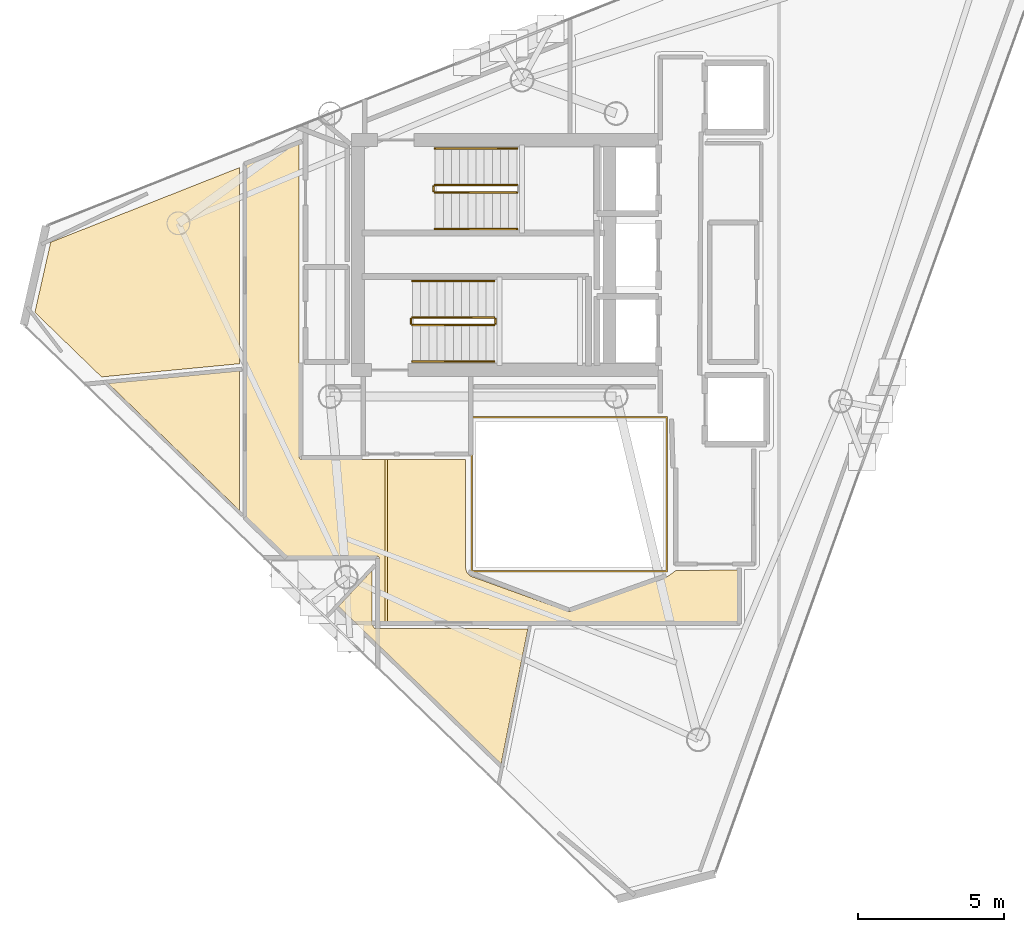
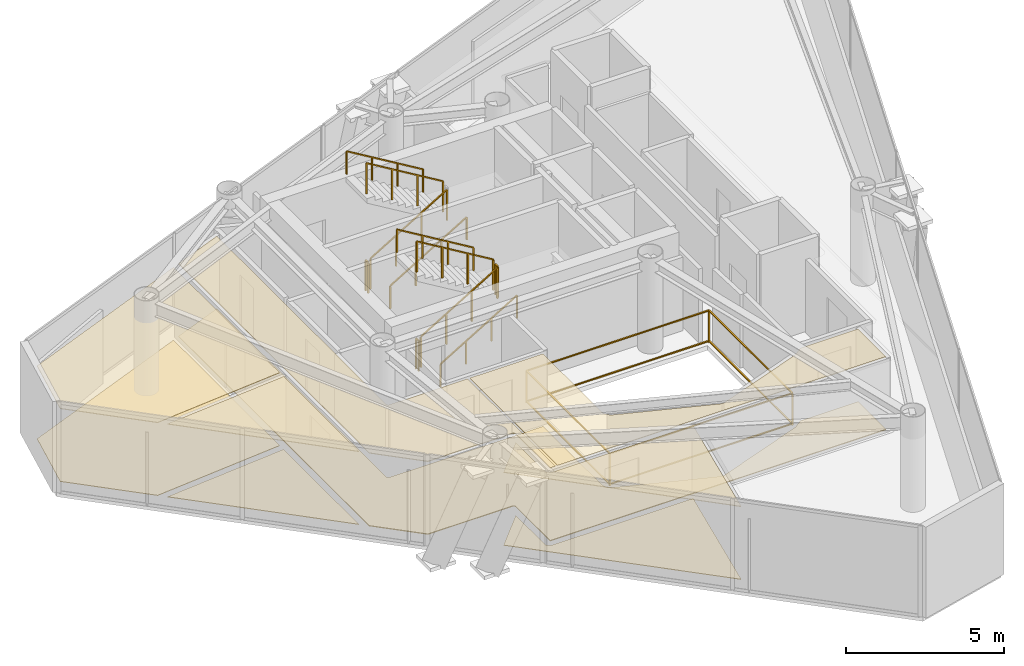
# One storey, part 18 of 19: 12 railings, 9 coverings.
"""IFC4 building model written with IfcOpenShell, lengths in metres."""

from ifc_helpers import new_model, si_unit, direction, frame, origin, origin_2d, place, context, subcontext, project, spatial, polyline, rectangle, outline, extrude, material, layer, layer_set, type_object, element, save


model = new_model("IFC4")

# Units and contexts
model_context = context("Model", 3, precision=1e-05, world=origin(), true_north=direction((0.0, 1.0)))
body_context = subcontext(model_context, "Body", "Model", "MODEL_VIEW")
ifc_project = project(units=[si_unit("LENGTHUNIT", "METRE"), si_unit("AREAUNIT", "SQUARE_METRE"), si_unit("VOLUMEUNIT", "CUBIC_METRE"), si_unit("PLANEANGLEUNIT", "RADIAN"), si_unit("MASSUNIT", "GRAM", prefix="KILO")], contexts=[model_context])

# Site, building, storey
site_placement = place(None, origin())
site = spatial("IfcSite", under=ifc_project, at=site_placement, CompositionType="ELEMENT")
building_placement = place(site_placement, origin())
building = spatial("IfcBuilding", under=site, at=building_placement, Name="Qianvela Tower", CompositionType="ELEMENT")
storey_placement = place(building_placement, frame((0.0, 0.0, 344.39990234375)))
storey = spatial("IfcBuildingStorey", under=building, at=storey_placement, Name="L89", CompositionType="ELEMENT", Elevation=344.39990234375)

# Coverings
ifc_material_1 = material(Name="Perforated Mineral Acoustic Ceiling Tile")
ifc_layer_1 = layer(ifc_material_1, 0.02490234375)
ifc_layer_set_1 = layer_set([ifc_layer_1], Name="Perforated Mineral Acoustic Ceiling Tile")
covering_type_1 = type_object("IfcCoveringType", Name="COV-CEIL-ACOUSTIC-25", PredefinedType="CEILING", material=ifc_layer_set_1)
covering_1_placement = place(storey_placement, frame((0.0, 0.0, 2.815185546875)))
element("IfcCovering", 1, at=covering_1_placement, inside=storey, type_object=covering_type_1, Name="L89 Acoustic Ceiling Bay 1 L89 Floor Corridor", PredefinedType="CEILING", context=body_context, shape_type="SweptSolid", body=[
    extrude(outline(polyline([(30.280029296875, 16.1298828125), (30.280029296875, 18.300048828125), (30.279541015625, 18.307861328125), (30.278564453125, 18.315673828125), (30.276611328125, 18.3232421875), (30.27392578125, 18.33056640625), (30.2705078125, 18.337646484375), (30.2666015625, 18.344482421875), (30.26171875, 18.350830078125), (30.256591796875, 18.356689453125), (30.250732421875, 18.36181640625), (30.244384765625, 18.366455078125), (30.23779296875, 18.37060546875), (30.230712890625, 18.373779296875), (30.22314453125, 18.376708984375), (30.215576171875, 18.37841796875), (30.207763671875, 18.379638671875), (30.199951171875, 18.3798828125), (27.1083984375, 18.3798828125), (25.72998046875, 19.714599609375), (25.72998046875, 31.791015625), (27.5400390625, 32.50634765625), (27.5400390625, 21.780029296875), (27.540283203125, 21.772216796875), (27.54150390625, 21.764404296875), (27.54345703125, 21.7568359375), (27.546142578125, 21.74951171875), (27.54931640625, 21.7421875), (27.553466796875, 21.735595703125), (27.55810546875, 21.729248046875), (27.5634765625, 21.723388671875), (27.569091796875, 21.71826171875), (27.57568359375, 21.71337890625), (27.582275390625, 21.70947265625), (27.58935546875, 21.7060546875), (27.5966796875, 21.703369140625), (27.6044921875, 21.701416015625), (27.6123046875, 21.700439453125), (27.6201171875, 21.699951171875), (30.477294921875, 21.699951171875), (30.477294921875, 16.1298828125), (30.280029296875, 16.1298828125)])), origin(), (0.0, 0.0, 1.0), 0.02490234375),
])
covering_2_placement = place(storey_placement, frame((0.0, 0.0, 2.815185546875)))
element("IfcCovering", 2, at=covering_2_placement, inside=storey, type_object=covering_type_1, Name="L89 Acoustic Ceiling Bay 2 L89 Floor Corridor", PredefinedType="CEILING", context=body_context, shape_type="SweptSolid", body=[
    extrude(outline(polyline([(36.780517578125, 16.48046875), (36.7880859375, 16.47900390625), (36.7958984375, 16.47802734375), (36.8037109375, 16.47802734375), (36.811767578125, 16.47900390625), (36.8193359375, 16.48046875), (36.826904296875, 16.482666015625), (40.134033203125, 17.666015625), (40.140869140625, 17.668701171875), (40.1474609375, 17.672119140625), (40.153564453125, 17.676025390625), (40.458740234375, 17.89306640625), (42.570068359375, 17.899658203125), (42.570068359375, 16.1298828125), (30.557373046875, 16.1298828125), (30.557373046875, 21.699951171875), (33.239990234375, 21.699951171875), (33.239990234375, 18.0), (33.240478515625, 17.990234375), (33.242431640625, 17.980712890625), (33.275390625, 17.8486328125), (33.277587890625, 17.841064453125), (33.28076171875, 17.833740234375), (33.284423828125, 17.826904296875), (33.288818359375, 17.8203125), (33.293701171875, 17.814208984375), (33.38525390625, 17.71337890625), (33.390625, 17.7080078125), (33.396728515625, 17.702880859375), (33.4033203125, 17.698486328125), (33.41015625, 17.69482421875), (33.417236328125, 17.69189453125), (36.77294921875, 16.482666015625), (36.780517578125, 16.48046875)])), origin(), (0.0, 0.0, 1.0), 0.02490234375),
])
covering_3_placement = place(storey_placement, frame((0.0, 0.0, 2.815185546875)))
element("IfcCovering", 3, at=covering_3_placement, inside=storey, type_object=covering_type_1, Name="L89 Acoustic Ceiling Student Fitness Gym L89-01", PredefinedType="CEILING", context=body_context, shape_type="SweptSolid", body=[
    extrude(outline(polyline([(20.99609375, 24.298828125), (25.489990234375, 24.728759765625), (25.489990234375, 19.947021484375), (20.99609375, 24.298828125)])), origin(), (0.0, 0.0, 1.0), 0.02490234375),
])
covering_4_placement = place(storey_placement, frame((0.0, 0.0, 2.815185546875)))
element("IfcCovering", 4, at=covering_4_placement, inside=storey, type_object=covering_type_1, Name="L89 Acoustic Ceiling Maker Craft Workshop L89-02", PredefinedType="CEILING", context=body_context, shape_type="SweptSolid", body=[
    extrude(outline(polyline([(30.0400390625, 17.888427734375), (30.0400390625, 16.050048828125), (30.040283203125, 16.042236328125), (30.04150390625, 16.034423828125), (30.04345703125, 16.02685546875), (30.046142578125, 16.019287109375), (30.04931640625, 16.01220703125), (30.053466796875, 16.005615234375), (30.102783203125, 15.931640625), (30.107421875, 15.92529296875), (30.11279296875, 15.91943359375), (30.11865234375, 15.914306640625), (30.125, 15.90966796875), (30.131591796875, 15.905517578125), (30.138671875, 15.902099609375), (30.14599609375, 15.899658203125), (30.15380859375, 15.897705078125), (30.16162109375, 15.896484375), (30.169189453125, 15.89599609375), (35.376220703125, 15.89013671875), (34.46044921875, 11.260009765625), (28.884765625, 16.659912109375), (30.0400390625, 17.888427734375)])), origin(), (0.0, 0.0, 1.0), 0.02490234375),
])
covering_5_placement = place(storey_placement, frame((0.0, 0.0, 2.815185546875)))
element("IfcCovering", 5, at=covering_5_placement, inside=storey, type_object=covering_type_1, Name="L89 Acoustic Ceiling Commons Day Lounge L89-04", PredefinedType="CEILING", context=body_context, shape_type="SweptSolid", body=[
    extrude(outline(polyline([(25.489990234375, 31.696044921875), (25.489990234375, 24.973876953125), (20.765869140625, 24.52197265625), (18.480712890625, 26.73486328125), (19.0224609375, 29.1396484375), (25.489990234375, 31.696044921875)])), origin(), (0.0, 0.0, 1.0), 0.02490234375),
])
ifc_material_2 = material(Name="Engineered Acoustic Oak Timber Flooring", Category="wood")
ifc_layer_2 = layer(ifc_material_2, 0.02001953125)
ifc_layer_set_2 = layer_set([ifc_layer_2], Name="Engineered Acoustic Oak Timber Flooring")
covering_type_2 = type_object("IfcCoveringType", Name="COV-FLOOR-OAK-20", PredefinedType="FLOORING", material=ifc_layer_set_2)
covering_6_placement = place(storey_placement, origin())
element("IfcCovering", 6, at=covering_6_placement, inside=storey, type_object=covering_type_2, Name="L89 Finish Flooring Student Fitness Gym L89-01", PredefinedType="FLOORING", context=body_context, shape_type="SweptSolid", body=[
    extrude(outline(polyline([(20.99609375, 24.298828125), (25.489990234375, 24.728759765625), (25.489990234375, 19.947021484375), (20.99609375, 24.298828125)])), origin(), (0.0, 0.0, 1.0), 0.02001953125),
])
covering_7_placement = place(storey_placement, origin())
element("IfcCovering", 7, at=covering_7_placement, inside=storey, type_object=covering_type_2, Name="L89 Finish Flooring Maker Craft Workshop L89-02", PredefinedType="FLOORING", context=body_context, shape_type="SweptSolid", body=[
    extrude(outline(polyline([(30.0400390625, 17.888427734375), (30.0400390625, 16.050048828125), (30.040283203125, 16.042236328125), (30.04150390625, 16.034423828125), (30.04345703125, 16.02685546875), (30.046142578125, 16.019287109375), (30.04931640625, 16.01220703125), (30.053466796875, 16.005615234375), (30.102783203125, 15.931640625), (30.107421875, 15.92529296875), (30.11279296875, 15.91943359375), (30.11865234375, 15.914306640625), (30.125, 15.90966796875), (30.131591796875, 15.905517578125), (30.138671875, 15.902099609375), (30.14599609375, 15.899658203125), (30.15380859375, 15.897705078125), (30.16162109375, 15.896484375), (30.169189453125, 15.89599609375), (35.376220703125, 15.89013671875), (34.46044921875, 11.260009765625), (28.884765625, 16.659912109375), (30.0400390625, 17.888427734375)])), origin(), (0.0, 0.0, 1.0), 0.02001953125),
])
covering_8_placement = place(storey_placement, origin())
element("IfcCovering", 8, at=covering_8_placement, inside=storey, type_object=covering_type_2, Name="L89 Finish Flooring Commons Day Lounge L89-04", PredefinedType="FLOORING", context=body_context, shape_type="SweptSolid", body=[
    extrude(outline(polyline([(25.489990234375, 31.696044921875), (25.489990234375, 24.973876953125), (20.765869140625, 24.52197265625), (18.480712890625, 26.73486328125), (19.0224609375, 29.1396484375), (25.489990234375, 31.696044921875)])), origin(), (0.0, 0.0, 1.0), 0.02001953125),
])
ifc_material_3 = material(Name="Honed Stone Terrazzo Flooring", Category="masonry")
ifc_layer_3 = layer(ifc_material_3, 0.030029296875)
ifc_layer_set_3 = layer_set([ifc_layer_3], Name="Honed Stone Terrazzo Flooring")
covering_type_3 = type_object("IfcCoveringType", Name="COV-FLOOR-TERRAZZO-30", PredefinedType="FLOORING", material=ifc_layer_set_3)
covering_9_placement = place(storey_placement, origin())
element("IfcCovering", 9, at=covering_9_placement, inside=storey, type_object=covering_type_3, Name="L89 Finish Flooring L89 Floor Corridor", PredefinedType="FLOORING", context=body_context, shape_type="SweptSolid", body=[
    extrude(outline(polyline([(36.77294921875, 16.482666015625), (36.780517578125, 16.48046875), (36.7880859375, 16.47900390625), (36.7958984375, 16.47802734375), (36.8037109375, 16.47802734375), (36.811767578125, 16.47900390625), (36.8193359375, 16.48046875), (36.826904296875, 16.482666015625), (40.134033203125, 17.666015625), (40.140869140625, 17.668701171875), (40.1474609375, 17.672119140625), (40.153564453125, 17.676025390625), (40.458740234375, 17.89306640625), (42.570068359375, 17.899658203125), (42.570068359375, 16.1298828125), (30.280029296875, 16.1298828125), (30.280029296875, 18.300048828125), (30.279541015625, 18.307861328125), (30.278564453125, 18.315673828125), (30.276611328125, 18.3232421875), (30.27392578125, 18.33056640625), (30.2705078125, 18.337646484375), (30.2666015625, 18.344482421875), (30.26171875, 18.350830078125), (30.256591796875, 18.356689453125), (30.250732421875, 18.36181640625), (30.244384765625, 18.366455078125), (30.23779296875, 18.37060546875), (30.230712890625, 18.373779296875), (30.22314453125, 18.376708984375), (30.215576171875, 18.37841796875), (30.207763671875, 18.379638671875), (30.199951171875, 18.3798828125), (27.1083984375, 18.3798828125), (25.72998046875, 19.714599609375), (25.72998046875, 31.791015625), (27.5400390625, 32.50634765625), (27.5400390625, 21.780029296875), (27.540283203125, 21.772216796875), (27.54150390625, 21.764404296875), (27.54345703125, 21.7568359375), (27.546142578125, 21.74951171875), (27.54931640625, 21.7421875), (27.553466796875, 21.735595703125), (27.55810546875, 21.729248046875), (27.5634765625, 21.723388671875), (27.569091796875, 21.71826171875), (27.57568359375, 21.71337890625), (27.582275390625, 21.70947265625), (27.58935546875, 21.7060546875), (27.5966796875, 21.703369140625), (27.6044921875, 21.701416015625), (27.6123046875, 21.700439453125), (27.6201171875, 21.699951171875), (33.239990234375, 21.699951171875), (33.239990234375, 18.0), (33.240478515625, 17.990234375), (33.242431640625, 17.980712890625), (33.275390625, 17.8486328125), (33.277587890625, 17.841064453125), (33.28076171875, 17.833740234375), (33.284423828125, 17.826904296875), (33.288818359375, 17.8203125), (33.293701171875, 17.814208984375), (33.38525390625, 17.71337890625), (33.390625, 17.7080078125), (33.396728515625, 17.702880859375), (33.4033203125, 17.698486328125), (33.41015625, 17.69482421875), (33.417236328125, 17.69189453125), (36.77294921875, 16.482666015625)])), origin(), (0.0, 0.0, 1.0), 0.030029296875),
])

# Railings
ifc_material_4 = material(Name="Laminated Safety Glass and Stainless Steel 316", Category="steel")
railing_type_1 = type_object("IfcRailingType", Name="RL-ATRIUM-GUARD-1250", PredefinedType="GUARDRAIL", material=ifc_material_4)
railing_1_placement = place(storey_placement, frame((33.4599609375, 17.860107421875, 0.0)))
element("IfcRailing", 10, at=railing_1_placement, inside=storey, type_object=railing_type_1, Name="L89 Atrium Edge Guardrail 1", PredefinedType="GUARDRAIL", context=body_context, shape_type="SweptSolid", body=[
    extrude(rectangle(XDim=0.050048828125, YDim=0.0400390625, at=origin_2d()), frame((0.0, 0.0, 1.22998046875), z_axis=(0.0, 1.0, 0.0), x_axis=(-1.0, 0.0, 0.0)), (0.0, 0.0, 1.0), 5.27978515625),
    extrude(rectangle(XDim=0.050048828125, YDim=0.0400390625, at=origin_2d()), frame((0.0, 0.0, 0.050048828125), z_axis=(0.0, 1.0, 0.0), x_axis=(-1.0, 0.0, 0.0)), (0.0, 0.0, 1.0), 5.27978515625),
    extrude(rectangle(XDim=0.050048828125, YDim=0.0400390625, at=origin_2d()), frame((0.0, 5.27978515625, 1.22998046875), z_axis=(1.0, 0.0, 0.0), x_axis=(0.0, 1.0, 0.0)), (0.0, 0.0, 1.0), 6.679931640625),
    extrude(rectangle(XDim=0.050048828125, YDim=0.0400390625, at=origin_2d()), frame((0.0, 5.27978515625, 0.050048828125), z_axis=(1.0, 0.0, 0.0), x_axis=(0.0, 1.0, 0.0)), (0.0, 0.0, 1.0), 6.679931640625),
    extrude(rectangle(XDim=0.050048828125, YDim=0.0400390625, at=origin_2d()), frame((6.679931640625, 5.27978515625, 1.22998046875), z_axis=(0.0, -1.0, 0.0), x_axis=(1.0, 0.0, 0.0)), (0.0, 0.0, 1.0), 5.27978515625),
    extrude(rectangle(XDim=0.050048828125, YDim=0.0400390625, at=origin_2d()), frame((6.679931640625, 5.27978515625, 0.050048828125), z_axis=(0.0, -1.0, 0.0), x_axis=(1.0, 0.0, 0.0)), (0.0, 0.0, 1.0), 5.27978515625),
    extrude(rectangle(XDim=0.050048828125, YDim=0.0400390625, at=origin_2d()), frame((6.679931640625, 0.0, 1.22998046875), z_axis=(-1.0, 0.0, 0.0), x_axis=(0.0, -1.0, 0.0)), (0.0, 0.0, 1.0), 6.679931640625),
    extrude(rectangle(XDim=0.050048828125, YDim=0.0400390625, at=origin_2d()), frame((6.679931640625, 0.0, 0.050048828125), z_axis=(-1.0, 0.0, 0.0), x_axis=(0.0, -1.0, 0.0)), (0.0, 0.0, 1.0), 6.679931640625),
    extrude(rectangle(XDim=0.050048828125, YDim=0.050048828125, at=origin_2d()), origin(), (0.0, 0.0, 1.0), 1.2099609375),
    extrude(rectangle(XDim=0.050048828125, YDim=0.050048828125, at=origin_2d()), frame((0.0, 5.27978515625, 0.0)), (0.0, 0.0, 1.0), 1.2099609375),
    extrude(rectangle(XDim=0.050048828125, YDim=0.050048828125, at=origin_2d()), frame((6.679931640625, 5.27978515625, 0.0)), (0.0, 0.0, 1.0), 1.2099609375),
    extrude(rectangle(XDim=0.050048828125, YDim=0.050048828125, at=origin_2d()), frame((6.679931640625, 0.0, 0.0)), (0.0, 0.0, 1.0), 1.2099609375),
])
ifc_material_5 = material(Name="Painted Tubular Steel Q355B", Category="steel")
railing_type_2 = type_object("IfcRailingType", Name="RL-STAIR-GUARD-1200", PredefinedType="GUARDRAIL", material=ifc_material_5)
railing_2_placement = place(storey_placement, frame((32.199951171875, 30.840087890625, 0.168212890625)))
element("IfcRailing", 11, at=railing_2_placement, inside=storey, type_object=railing_type_2, Name="L89 ST-1 stair guard 1", PredefinedType="GUARDRAIL", context=body_context, shape_type="SweptSolid", body=[
    extrude(rectangle(XDim=0.050048828125, YDim=0.0400390625, at=origin_2d()), frame((0.0, 0.0, 1.179931640625), z_axis=(0.857242210791, 0.0, 0.514913383045), x_axis=(0.0, 1.0, 0.0)), (0.0, 0.0, 1.0), 3.266357421875),
    extrude(rectangle(XDim=0.050048828125, YDim=0.050048828125, at=origin_2d()), origin(), (0.0, 0.0, 1.0), 1.159912109375),
    extrude(rectangle(XDim=0.050048828125, YDim=0.050048828125, at=origin_2d()), frame((0.933349609375, 0.0, 0.560546875)), (0.0, 0.0, 1.0), 1.159912109375),
    extrude(rectangle(XDim=0.050048828125, YDim=0.050048828125, at=origin_2d()), frame((1.86669921875, 0.0, 1.121337890625)), (0.0, 0.0, 1.0), 1.159912109375),
    extrude(rectangle(XDim=0.050048828125, YDim=0.050048828125, at=origin_2d()), frame((2.800048828125, 0.0, 1.681884765625)), (0.0, 0.0, 1.0), 1.159912109375),
])
railing_3_placement = place(storey_placement, frame((35.0, 31.10009765625, 2.018310546875)))
element("IfcRailing", 12, at=railing_3_placement, inside=storey, type_object=railing_type_2, Name="L89 ST-1 stair guard 3", PredefinedType="GUARDRAIL", context=body_context, shape_type="SweptSolid", body=[
    extrude(rectangle(XDim=0.050048828125, YDim=0.0400390625, at=origin_2d()), frame((0.0, 0.0, 1.179931640625), z_axis=(-0.857242210791, 0.0, 0.514913383045), x_axis=(0.0, -1.0, 0.0)), (0.0, 0.0, 1.0), 3.266357421875),
    extrude(rectangle(XDim=0.050048828125, YDim=0.050048828125, at=origin_2d()), origin(), (0.0, 0.0, 1.0), 1.159912109375),
    extrude(rectangle(XDim=0.050048828125, YDim=0.050048828125, at=origin_2d()), frame((-0.933349609375, 0.0, 0.560546875)), (0.0, 0.0, 1.0), 1.159912109375),
    extrude(rectangle(XDim=0.050048828125, YDim=0.050048828125, at=origin_2d()), frame((-1.86669921875, 0.0, 1.121337890625)), (0.0, 0.0, 1.0), 1.159912109375),
    extrude(rectangle(XDim=0.050048828125, YDim=0.050048828125, at=origin_2d()), frame((-2.800048828125, 0.0, 1.681884765625)), (0.0, 0.0, 1.0), 1.159912109375),
])
railing_4_placement = place(storey_placement, frame((32.14990234375, 30.889892578125, 0.0)))
element("IfcRailing", 13, at=railing_4_placement, inside=storey, type_object=railing_type_2, Name="L89 ST-1 stair guard 4", PredefinedType="GUARDRAIL", context=body_context, shape_type="SweptSolid", body=[
    extrude(rectangle(XDim=0.050048828125, YDim=0.0400390625, at=origin_2d()), frame((0.0, 0.0, 1.179931640625), z_axis=(0.0, 1.0, 0.0), x_axis=(-1.0, 0.0, 0.0)), (0.0, 0.0, 1.0), 0.16015625),
    extrude(rectangle(XDim=0.050048828125, YDim=0.050048828125, at=origin_2d()), origin(), (0.0, 0.0, 1.0), 1.159912109375),
    extrude(rectangle(XDim=0.050048828125, YDim=0.050048828125, at=origin_2d()), frame((0.0, 0.16015625, 0.0)), (0.0, 0.0, 1.0), 1.159912109375),
])
railing_5_placement = place(storey_placement, frame((31.419921875, 26.300048828125, 0.168212890625)))
element("IfcRailing", 14, at=railing_5_placement, inside=storey, type_object=railing_type_2, Name="L89 ST-2 stair guard 1", PredefinedType="GUARDRAIL", context=body_context, shape_type="SweptSolid", body=[
    extrude(rectangle(XDim=0.050048828125, YDim=0.0400390625, at=origin_2d()), frame((0.0, 0.0, 1.179931640625), z_axis=(0.857242210791, 0.0, 0.514913383045), x_axis=(0.0, 1.0, 0.0)), (0.0, 0.0, 1.0), 3.266357421875),
    extrude(rectangle(XDim=0.050048828125, YDim=0.050048828125, at=origin_2d()), origin(), (0.0, 0.0, 1.0), 1.159912109375),
    extrude(rectangle(XDim=0.050048828125, YDim=0.050048828125, at=origin_2d()), frame((0.933349609375, 0.0, 0.560546875)), (0.0, 0.0, 1.0), 1.159912109375),
    extrude(rectangle(XDim=0.050048828125, YDim=0.050048828125, at=origin_2d()), frame((1.86669921875, 0.0, 1.121337890625)), (0.0, 0.0, 1.0), 1.159912109375),
    extrude(rectangle(XDim=0.050048828125, YDim=0.050048828125, at=origin_2d()), frame((2.800048828125, 0.0, 1.681884765625)), (0.0, 0.0, 1.0), 1.159912109375),
])
railing_6_placement = place(storey_placement, frame((34.27001953125, 26.35009765625, 1.85009765625)))
element("IfcRailing", 15, at=railing_6_placement, inside=storey, type_object=railing_type_2, Name="L89 ST-2 stair guard 2", PredefinedType="GUARDRAIL", context=body_context, shape_type="SweptSolid", body=[
    extrude(rectangle(XDim=0.050048828125, YDim=0.0400390625, at=origin_2d()), frame((0.0, 0.0, 1.179931640625), z_axis=(0.0, 1.0, 0.0), x_axis=(-1.0, 0.0, 0.0)), (0.0, 0.0, 1.0), 0.159912109375),
    extrude(rectangle(XDim=0.050048828125, YDim=0.050048828125, at=origin_2d()), origin(), (0.0, 0.0, 1.0), 1.159912109375),
    extrude(rectangle(XDim=0.050048828125, YDim=0.050048828125, at=origin_2d()), frame((0.0, 0.159912109375, 0.0)), (0.0, 0.0, 1.0), 1.159912109375),
])
railing_7_placement = place(storey_placement, frame((34.219970703125, 26.56005859375, 2.018310546875)))
element("IfcRailing", 16, at=railing_7_placement, inside=storey, type_object=railing_type_2, Name="L89 ST-2 stair guard 3", PredefinedType="GUARDRAIL", context=body_context, shape_type="SweptSolid", body=[
    extrude(rectangle(XDim=0.050048828125, YDim=0.0400390625, at=origin_2d()), frame((0.0, 0.0, 1.179931640625), z_axis=(-0.857242210791, 0.0, 0.514913383045), x_axis=(0.0, -1.0, 0.0)), (0.0, 0.0, 1.0), 3.266357421875),
    extrude(rectangle(XDim=0.050048828125, YDim=0.050048828125, at=origin_2d()), origin(), (0.0, 0.0, 1.0), 1.159912109375),
    extrude(rectangle(XDim=0.050048828125, YDim=0.050048828125, at=origin_2d()), frame((-0.933349609375, 0.0, 0.560546875)), (0.0, 0.0, 1.0), 1.159912109375),
    extrude(rectangle(XDim=0.050048828125, YDim=0.050048828125, at=origin_2d()), frame((-1.86669921875, 0.0, 1.121337890625)), (0.0, 0.0, 1.0), 1.159912109375),
    extrude(rectangle(XDim=0.050048828125, YDim=0.050048828125, at=origin_2d()), frame((-2.800048828125, 0.0, 1.681884765625)), (0.0, 0.0, 1.0), 1.159912109375),
])
railing_8_placement = place(storey_placement, frame((31.3701171875, 26.35009765625, 0.0)))
element("IfcRailing", 17, at=railing_8_placement, inside=storey, type_object=railing_type_2, Name="L89 ST-2 stair guard 4", PredefinedType="GUARDRAIL", context=body_context, shape_type="SweptSolid", body=[
    extrude(rectangle(XDim=0.050048828125, YDim=0.0400390625, at=origin_2d()), frame((0.0, 0.0, 1.179931640625), z_axis=(0.0, 1.0, 0.0), x_axis=(-1.0, 0.0, 0.0)), (0.0, 0.0, 1.0), 0.159912109375),
    extrude(rectangle(XDim=0.050048828125, YDim=0.050048828125, at=origin_2d()), origin(), (0.0, 0.0, 1.0), 1.159912109375),
    extrude(rectangle(XDim=0.050048828125, YDim=0.050048828125, at=origin_2d()), frame((0.0, 0.159912109375, 0.0)), (0.0, 0.0, 1.0), 1.159912109375),
])
ifc_material_6 = material(Name="Brushed Stainless Steel 304", Category="steel")
railing_type_3 = type_object("IfcRailingType", Name="RL-STAIR-HANDRAIL-900", PredefinedType="HANDRAIL", material=ifc_material_6)
railing_9_placement = place(storey_placement, frame((32.199951171875, 29.590087890625, 0.168212890625)))
element("IfcRailing", 18, at=railing_9_placement, inside=storey, type_object=railing_type_3, Name="L89 ST-1 stair handrail 1", PredefinedType="HANDRAIL", context=body_context, shape_type="SweptSolid", body=[
    extrude(rectangle(XDim=0.050048828125, YDim=0.0400390625, at=origin_2d()), frame((0.0, 0.0, 0.8798828125), z_axis=(0.857242210791, 0.0, 0.514913383045), x_axis=(0.0, 1.0, 0.0)), (0.0, 0.0, 1.0), 3.266357421875),
    extrude(rectangle(XDim=0.050048828125, YDim=0.050048828125, at=origin_2d()), origin(), (0.0, 0.0, 1.0), 0.85986328125),
    extrude(rectangle(XDim=0.050048828125, YDim=0.050048828125, at=origin_2d()), frame((0.933349609375, 0.0, 0.560546875)), (0.0, 0.0, 1.0), 0.85986328125),
    extrude(rectangle(XDim=0.050048828125, YDim=0.050048828125, at=origin_2d()), frame((1.86669921875, 0.0, 1.121337890625)), (0.0, 0.0, 1.0), 0.85986328125),
    extrude(rectangle(XDim=0.050048828125, YDim=0.050048828125, at=origin_2d()), frame((2.800048828125, 0.0, 1.681884765625)), (0.0, 0.0, 1.0), 0.85986328125),
])
railing_10_placement = place(storey_placement, frame((35.0, 32.35009765625, 2.018310546875)))
element("IfcRailing", 19, at=railing_10_placement, inside=storey, type_object=railing_type_3, Name="L89 ST-1 stair handrail 2", PredefinedType="HANDRAIL", context=body_context, shape_type="SweptSolid", body=[
    extrude(rectangle(XDim=0.050048828125, YDim=0.0400390625, at=origin_2d()), frame((0.0, 0.0, 0.8798828125), z_axis=(-0.857242210791, 0.0, 0.514913383045), x_axis=(0.0, -1.0, 0.0)), (0.0, 0.0, 1.0), 3.266357421875),
    extrude(rectangle(XDim=0.050048828125, YDim=0.050048828125, at=origin_2d()), origin(), (0.0, 0.0, 1.0), 0.85986328125),
    extrude(rectangle(XDim=0.050048828125, YDim=0.050048828125, at=origin_2d()), frame((-0.933349609375, 0.0, 0.560546875)), (0.0, 0.0, 1.0), 0.85986328125),
    extrude(rectangle(XDim=0.050048828125, YDim=0.050048828125, at=origin_2d()), frame((-1.86669921875, 0.0, 1.121337890625)), (0.0, 0.0, 1.0), 0.85986328125),
    extrude(rectangle(XDim=0.050048828125, YDim=0.050048828125, at=origin_2d()), frame((-2.800048828125, 0.0, 1.681884765625)), (0.0, 0.0, 1.0), 0.85986328125),
])
railing_11_placement = place(storey_placement, frame((31.419921875, 25.050048828125, 0.168212890625)))
element("IfcRailing", 20, at=railing_11_placement, inside=storey, type_object=railing_type_3, Name="L89 ST-2 stair handrail 1", PredefinedType="HANDRAIL", context=body_context, shape_type="SweptSolid", body=[
    extrude(rectangle(XDim=0.050048828125, YDim=0.0400390625, at=origin_2d()), frame((0.0, 0.0, 0.8798828125), z_axis=(0.857242210791, 0.0, 0.514913383045), x_axis=(0.0, 1.0, 0.0)), (0.0, 0.0, 1.0), 3.266357421875),
    extrude(rectangle(XDim=0.050048828125, YDim=0.050048828125, at=origin_2d()), origin(), (0.0, 0.0, 1.0), 0.85986328125),
    extrude(rectangle(XDim=0.050048828125, YDim=0.050048828125, at=origin_2d()), frame((0.933349609375, 0.0, 0.560546875)), (0.0, 0.0, 1.0), 0.85986328125),
    extrude(rectangle(XDim=0.050048828125, YDim=0.050048828125, at=origin_2d()), frame((1.86669921875, 0.0, 1.121337890625)), (0.0, 0.0, 1.0), 0.85986328125),
    extrude(rectangle(XDim=0.050048828125, YDim=0.050048828125, at=origin_2d()), frame((2.800048828125, 0.0, 1.681884765625)), (0.0, 0.0, 1.0), 0.85986328125),
])
railing_12_placement = place(storey_placement, frame((34.219970703125, 27.81005859375, 2.018310546875)))
element("IfcRailing", 21, at=railing_12_placement, inside=storey, type_object=railing_type_3, Name="L89 ST-2 stair handrail 2", PredefinedType="HANDRAIL", context=body_context, shape_type="SweptSolid", body=[
    extrude(rectangle(XDim=0.050048828125, YDim=0.0400390625, at=origin_2d()), frame((0.0, 0.0, 0.8798828125), z_axis=(-0.857242210791, 0.0, 0.514913383045), x_axis=(0.0, -1.0, 0.0)), (0.0, 0.0, 1.0), 3.266357421875),
    extrude(rectangle(XDim=0.050048828125, YDim=0.050048828125, at=origin_2d()), origin(), (0.0, 0.0, 1.0), 0.85986328125),
    extrude(rectangle(XDim=0.050048828125, YDim=0.050048828125, at=origin_2d()), frame((-0.933349609375, 0.0, 0.560546875)), (0.0, 0.0, 1.0), 0.85986328125),
    extrude(rectangle(XDim=0.050048828125, YDim=0.050048828125, at=origin_2d()), frame((-1.86669921875, 0.0, 1.121337890625)), (0.0, 0.0, 1.0), 0.85986328125),
    extrude(rectangle(XDim=0.050048828125, YDim=0.050048828125, at=origin_2d()), frame((-2.800048828125, 0.0, 1.681884765625)), (0.0, 0.0, 1.0), 0.85986328125),
])

save(model, "model.ifc")
